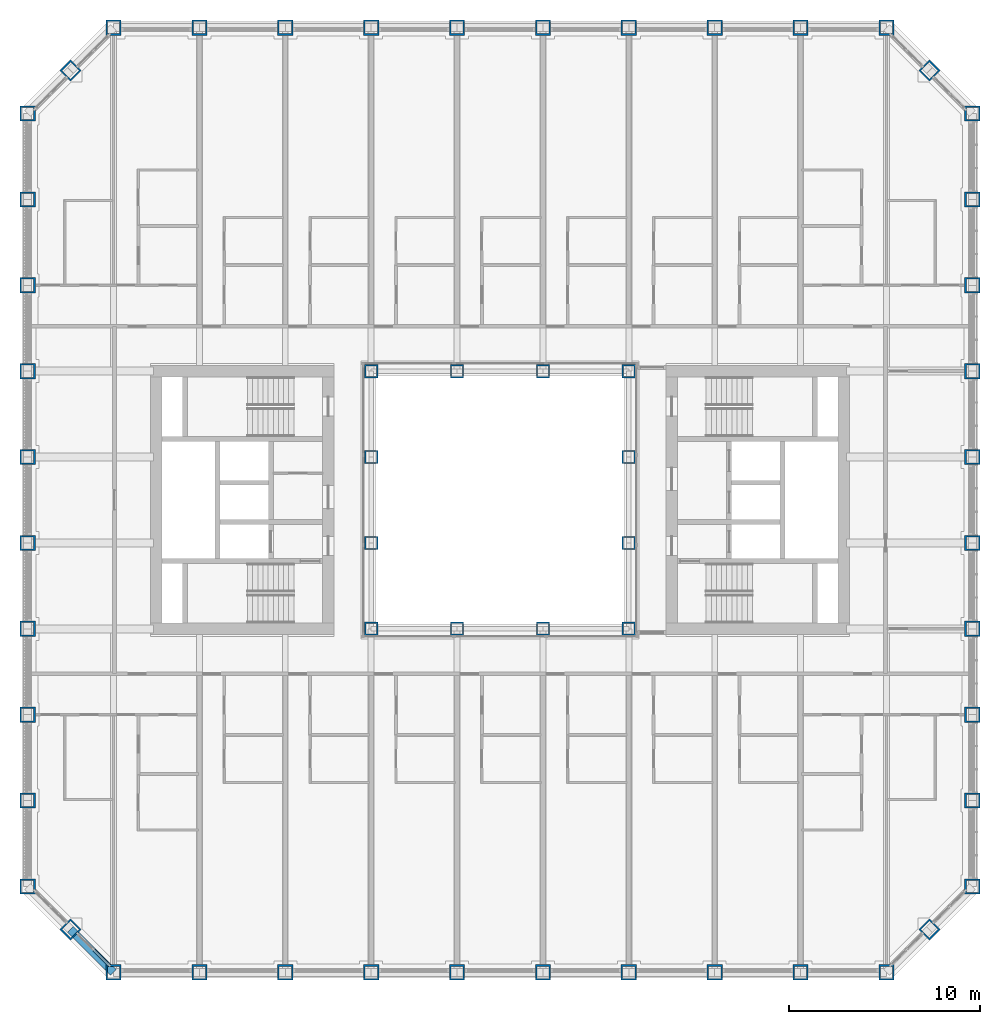
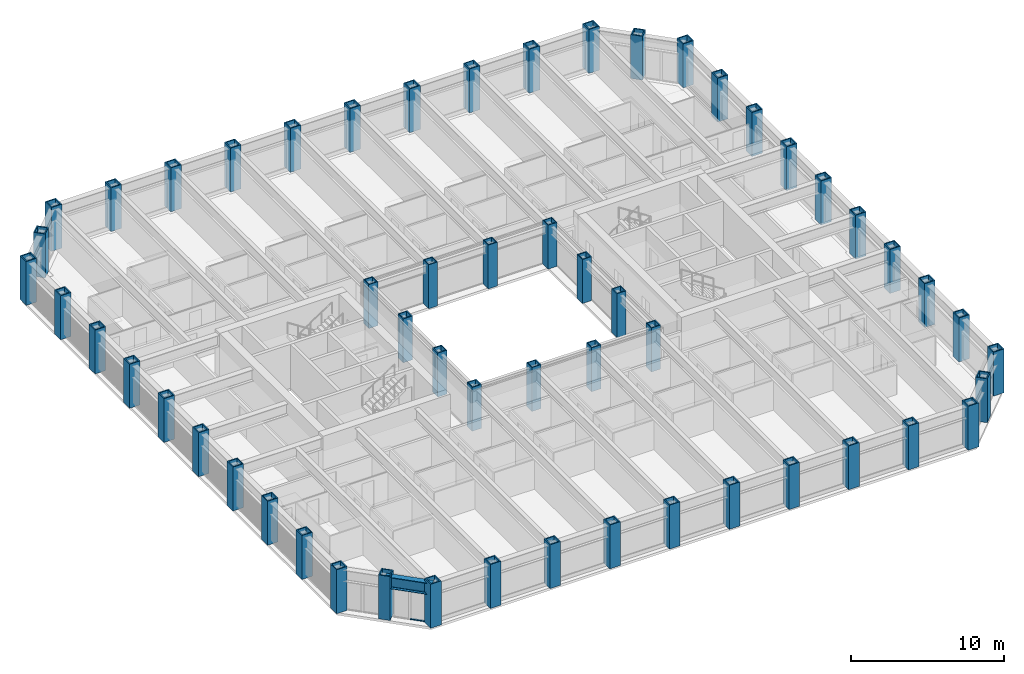
# One storey, part 1 of 21: 56 columns, 2 members, 1 beam, 1 element without a shape of its own.
"""IFC4 building model written with IfcOpenShell, lengths in metres."""

from ifc_helpers import new_model, si_unit, direction, frame, origin, origin_2d, place, context, subcontext, project, spatial, rectangle, hollow_rectangle, i_section, extrude, material, material_profile, profile_set, type_object, element, aggregate, save


model = new_model("IFC4")

# Units and contexts
model_context = context("Model", 3, precision=1e-05, world=origin(), true_north=direction((0.0, 1.0)))
body_context = subcontext(model_context, "Body", "Model", "MODEL_VIEW")
ifc_project = project(units=[si_unit("LENGTHUNIT", "METRE"), si_unit("AREAUNIT", "SQUARE_METRE"), si_unit("VOLUMEUNIT", "CUBIC_METRE"), si_unit("PLANEANGLEUNIT", "RADIAN"), si_unit("MASSUNIT", "GRAM", prefix="KILO")], contexts=[model_context])

# Site, building, storey
site_placement = place(None, origin())
site = spatial("IfcSite", under=ifc_project, at=site_placement, CompositionType="ELEMENT")
building_placement = place(site_placement, origin())
building = spatial("IfcBuilding", under=site, at=building_placement, Name="Msasa Ring Tower", CompositionType="ELEMENT")
storey_placement = place(building_placement, frame((0.0, 0.0, 30.0)))
storey = spatial("IfcBuildingStorey", under=building, at=storey_placement, Name="L06", CompositionType="ELEMENT", Elevation=30.0)

# Columns
ifc_material_1 = material(Name="Steel S355", Category="steel")
ifc_material_profile_1 = material_profile(ifc_material_1, hollow_rectangle(XDim=0.699951171875, YDim=0.699951171875, WallThickness=0.070068359375, at=origin_2d()), Name="BOX 700x700x70")
ifc_profile_set_1 = profile_set([ifc_material_profile_1], Name="Steel S355")
column_type_1 = type_object("IfcColumnType", Name="IC1 BOX 700x700x70", PredefinedType="COLUMN", material=ifc_profile_set_1)
for number, where, z_axis, x_axis, name in (
    (1, (-6.75, -6.75, 0.0), (0.0, 0.0, 1.0), (1.0, 0.0, 0.0), "Inner ring column IR-6.75-6.75 L06"),
    (2, (-6.75, -2.25, 0.0), (0.0, 0.0, 1.0), (1.0, 0.0, 0.0), "Inner ring column IR-6.75-2.25 L06"),
    (3, (-6.75, 2.25, 0.0), (0.0, 0.0, 1.0), (1.0, 0.0, 0.0), "Inner ring column IR-6.75+2.25 L06"),
    (4, (-6.75, 6.75, 0.0), (0.0, 0.0, 1.0), (1.0, 0.0, 0.0), "Inner ring column IR-6.75+6.75 L06"),
    (5, (-2.25, -6.75, 0.0), (0.0, 0.0, 1.0), (1.0, 0.0, 0.0), "Inner ring column IR-2.25-6.75 L06"),
    (6, (-2.25, 6.75, 0.0), (0.0, 0.0, 1.0), (1.0, 0.0, 0.0), "Inner ring column IR-2.25+6.75 L06"),
    (7, (2.25, -6.75, 0.0), (0.0, 0.0, 1.0), (1.0, 0.0, 0.0), "Inner ring column IR+2.25-6.75 L06"),
    (8, (2.25, 6.75, 0.0), (0.0, 0.0, 1.0), (1.0, 0.0, 0.0), "Inner ring column IR+2.25+6.75 L06"),
    (9, (6.75, -6.75, 0.0), (0.0, 0.0, 1.0), (1.0, 0.0, 0.0), "Inner ring column IR+6.75-6.75 L06"),
    (10, (6.75, -2.25, 0.0), (0.0, 0.0, 1.0), (1.0, 0.0, 0.0), "Inner ring column IR+6.75-2.25 L06"),
    (11, (6.75, 2.25, 0.0), (0.0, 0.0, 1.0), (1.0, 0.0, 0.0), "Inner ring column IR+6.75+2.25 L06"),
    (12, (6.75, 6.75, 0.0), (0.0, 0.0, 1.0), (1.0, 0.0, 0.0), "Inner ring column IR+6.75+6.75 L06"),
):
    element("IfcColumn", number, at=place(storey_placement, frame(where, z_axis=z_axis, x_axis=x_axis)), inside=storey, type_object=column_type_1, Name=name, PredefinedType="COLUMN", context=body_context, shape_type="SweptSolid", body=[
        extrude(hollow_rectangle(XDim=0.699951171875, YDim=0.699951171875, WallThickness=0.070068359375, at=origin_2d()), origin(), (0.0, 0.0, 1.0), 3.5),
    ])
ifc_material_2 = material(Name="Steel S355", Category="steel")
ifc_material_profile_2 = material_profile(ifc_material_2, hollow_rectangle(XDim=0.800048828125, YDim=0.800048828125, WallThickness=0.080078125, at=origin_2d()), Name="BOX 800x800x80")
ifc_profile_set_2 = profile_set([ifc_material_profile_2], Name="Steel S355")
column_type_2 = type_object("IfcColumnType", Name="TC1 BOX 800x800x80", PredefinedType="COLUMN", material=ifc_profile_set_2)
for number, where, z_axis, x_axis, name in (
    (13, (-20.25, -24.75, 0.0), (0.0, 0.0, 1.0), (0.0, 1.0, 0.0), "Tube column S-20.25 L06"),
    (14, (-20.25, 24.75, 0.0), (0.0, 0.0, 1.0), (0.0, 1.0, 0.0), "Tube column N-20.25 L06"),
    (15, (24.75, -20.25, 0.0), (0.0, 0.0, 1.0), (1.0, 0.0, 0.0), "Tube column E-20.25 L06"),
    (16, (-24.75, -20.25, 0.0), (0.0, 0.0, 1.0), (1.0, 0.0, 0.0), "Tube column W-20.25 L06"),
    (17, (-15.75, -24.75, 0.0), (0.0, 0.0, 1.0), (0.0, 1.0, 0.0), "Tube column S-15.75 L06"),
    (18, (-15.75, 24.75, 0.0), (0.0, 0.0, 1.0), (0.0, 1.0, 0.0), "Tube column N-15.75 L06"),
    (19, (24.75, -15.75, 0.0), (0.0, 0.0, 1.0), (1.0, 0.0, 0.0), "Tube column E-15.75 L06"),
    (20, (-24.75, -15.75, 0.0), (0.0, 0.0, 1.0), (1.0, 0.0, 0.0), "Tube column W-15.75 L06"),
    (21, (-11.25, -24.75, 0.0), (0.0, 0.0, 1.0), (0.0, 1.0, 0.0), "Tube column S-11.25 L06"),
    (22, (-11.25, 24.75, 0.0), (0.0, 0.0, 1.0), (0.0, 1.0, 0.0), "Tube column N-11.25 L06"),
    (23, (24.75, -11.25, 0.0), (0.0, 0.0, 1.0), (1.0, 0.0, 0.0), "Tube column E-11.25 L06"),
    (24, (-24.75, -11.25, 0.0), (0.0, 0.0, 1.0), (1.0, 0.0, 0.0), "Tube column W-11.25 L06"),
    (25, (-6.75, -24.75, 0.0), (0.0, 0.0, 1.0), (0.0, 1.0, 0.0), "Tube column S-6.75 L06"),
    (26, (-6.75, 24.75, 0.0), (0.0, 0.0, 1.0), (0.0, 1.0, 0.0), "Tube column N-6.75 L06"),
    (27, (24.75, -6.75, 0.0), (0.0, 0.0, 1.0), (1.0, 0.0, 0.0), "Tube column E-6.75 L06"),
    (28, (-24.75, -6.75, 0.0), (0.0, 0.0, 1.0), (1.0, 0.0, 0.0), "Tube column W-6.75 L06"),
    (29, (-2.25, -24.75, 0.0), (0.0, 0.0, 1.0), (0.0, 1.0, 0.0), "Tube column S-2.25 L06"),
    (30, (-2.25, 24.75, 0.0), (0.0, 0.0, 1.0), (0.0, 1.0, 0.0), "Tube column N-2.25 L06"),
    (31, (24.75, -2.25, 0.0), (0.0, 0.0, 1.0), (1.0, 0.0, 0.0), "Tube column E-2.25 L06"),
    (32, (-24.75, -2.25, 0.0), (0.0, 0.0, 1.0), (1.0, 0.0, 0.0), "Tube column W-2.25 L06"),
    (33, (2.25, -24.75, 0.0), (0.0, 0.0, 1.0), (0.0, 1.0, 0.0), "Tube column S+2.25 L06"),
    (34, (2.25, 24.75, 0.0), (0.0, 0.0, 1.0), (0.0, 1.0, 0.0), "Tube column N+2.25 L06"),
    (35, (24.75, 2.25, 0.0), (0.0, 0.0, 1.0), (1.0, 0.0, 0.0), "Tube column E+2.25 L06"),
    (36, (-24.75, 2.25, 0.0), (0.0, 0.0, 1.0), (1.0, 0.0, 0.0), "Tube column W+2.25 L06"),
    (37, (6.75, -24.75, 0.0), (0.0, 0.0, 1.0), (0.0, 1.0, 0.0), "Tube column S+6.75 L06"),
    (38, (6.75, 24.75, 0.0), (0.0, 0.0, 1.0), (0.0, 1.0, 0.0), "Tube column N+6.75 L06"),
    (39, (24.75, 6.75, 0.0), (0.0, 0.0, 1.0), (1.0, 0.0, 0.0), "Tube column E+6.75 L06"),
    (40, (-24.75, 6.75, 0.0), (0.0, 0.0, 1.0), (1.0, 0.0, 0.0), "Tube column W+6.75 L06"),
    (41, (11.25, -24.75, 0.0), (0.0, 0.0, 1.0), (0.0, 1.0, 0.0), "Tube column S+11.25 L06"),
    (42, (11.25, 24.75, 0.0), (0.0, 0.0, 1.0), (0.0, 1.0, 0.0), "Tube column N+11.25 L06"),
    (43, (24.75, 11.25, 0.0), (0.0, 0.0, 1.0), (1.0, 0.0, 0.0), "Tube column E+11.25 L06"),
    (44, (-24.75, 11.25, 0.0), (0.0, 0.0, 1.0), (1.0, 0.0, 0.0), "Tube column W+11.25 L06"),
    (45, (15.75, -24.75, 0.0), (0.0, 0.0, 1.0), (0.0, 1.0, 0.0), "Tube column S+15.75 L06"),
    (46, (15.75, 24.75, 0.0), (0.0, 0.0, 1.0), (0.0, 1.0, 0.0), "Tube column N+15.75 L06"),
    (47, (24.75, 15.75, 0.0), (0.0, 0.0, 1.0), (1.0, 0.0, 0.0), "Tube column E+15.75 L06"),
    (48, (-24.75, 15.75, 0.0), (0.0, 0.0, 1.0), (1.0, 0.0, 0.0), "Tube column W+15.75 L06"),
    (49, (20.25, -24.75, 0.0), (0.0, 0.0, 1.0), (0.0, 1.0, 0.0), "Tube column S+20.25 L06"),
    (50, (20.25, 24.75, 0.0), (0.0, 0.0, 1.0), (0.0, 1.0, 0.0), "Tube column N+20.25 L06"),
    (51, (24.75, 20.25, 0.0), (0.0, 0.0, 1.0), (1.0, 0.0, 0.0), "Tube column E+20.25 L06"),
    (52, (-24.75, 20.25, 0.0), (0.0, 0.0, 1.0), (1.0, 0.0, 0.0), "Tube column W+20.25 L06"),
    (53, (22.5, -22.5, 0.0), (0.0, 0.0, 1.0), (0.707106781187, -0.707106781187, 0.0), "Tube column SE L06"),
    (54, (22.5, 22.5, 0.0), (0.0, 0.0, 1.0), (0.707106781187, 0.707106781187, 0.0), "Tube column NE L06"),
    (55, (-22.5, 22.5, 0.0), (0.0, 0.0, 1.0), (0.707106781187, -0.707106781187, 0.0), "Tube column NW L06"),
    (56, (-22.5, -22.5, 0.0), (0.0, 0.0, 1.0), (0.707106781187, 0.707106781187, 0.0), "Tube column SW L06"),
):
    element("IfcColumn", number, at=place(storey_placement, frame(where, z_axis=z_axis, x_axis=x_axis)), inside=storey, type_object=column_type_2, Name=name, PredefinedType="COLUMN", context=body_context, shape_type="SweptSolid", body=[
        extrude(hollow_rectangle(XDim=0.800048828125, YDim=0.800048828125, WallThickness=0.080078125, at=origin_2d()), origin(), (0.0, 0.0, 1.0), 3.5),
    ])

# Curtain wall, members
ifc_material_3 = material(Name="Aluminium curtain wall with clear glass", Category="aluminium")
curtain_wall_type = type_object("IfcCurtainWallType", Name="CW-C CHAMFER CORNER CURTAIN WALL", PredefinedType="NOTDEFINED", material=ifc_material_3)
curtain_wall_placement = place(storey_placement, origin())
curtain_wall = element("IfcCurtainWall", 57, at=curtain_wall_placement, inside=storey, type_object=curtain_wall_type, Name="Chamfer corner curtain wall SW L06", PredefinedType="NOTDEFINED")
ifc_material_4 = material(Name="Aluminium transom", Category="aluminium")
ifc_material_profile_3 = material_profile(ifc_material_4, rectangle(XDim=0.139892578125, YDim=0.06494140625, at=origin_2d()), Name="AL 65x140")
ifc_profile_set_3 = profile_set([ifc_material_profile_3], Name="Aluminium transom")
member_type = type_object("IfcMemberType", Name="CW-C TRANSOM 65x140", PredefinedType="USERDEFINED", material=ifc_profile_set_3)
member_1_placement = place(storey_placement, frame((-21.28125, -23.577392578125, 0.032470703125), z_axis=(0.707106781187, -0.707106781187, 0.0), x_axis=(0.707106781187, 0.707106781187, 0.0)))
member_1 = element("IfcMember", 58, at=member_1_placement, type_object=member_type, Name="CW-C transom 2.1", ObjectType="TRANSOM", PredefinedType="USERDEFINED", context=body_context, shape_type="SweptSolid", body=[
    extrude(rectangle(XDim=0.139892578125, YDim=0.06494140625, at=origin_2d()), origin(), (0.0, 0.0, 1.0), 1.08837890625),
])
member_2_placement = place(storey_placement, frame((-21.28125, -23.577392578125, 2.346435546875), z_axis=(0.707106781187, -0.707106781187, 0.0), x_axis=(0.707106781187, 0.707106781187, 0.0)))
member_2 = element("IfcMember", 59, at=member_2_placement, type_object=member_type, Name="CW-C transom 2.2", ObjectType="TRANSOM", PredefinedType="USERDEFINED", context=body_context, shape_type="SweptSolid", body=[
    extrude(rectangle(XDim=0.139892578125, YDim=0.06494140625, at=origin_2d()), origin(), (0.0, 0.0, 1.0), 1.08837890625),
])
aggregate(curtain_wall, [member_1, member_2])

# Beam
ifc_material_5 = material(Name="Steel S355", Category="steel")
ifc_material_profile_4 = material_profile(ifc_material_5, i_section(OverallWidth=0.42041015625, OverallDepth=0.9208984375, WebThickness=0.021484375, FlangeThickness=0.03662109375, FilletRadius=0.024169921875, at=origin_2d()), Name="UB 914x419x388")
ifc_profile_set_4 = profile_set([ifc_material_profile_4], Name="Steel S355")
beam_type = type_object("IfcBeamType", Name="SB1 UB 914x419x388", PredefinedType="SPANDREL", material=ifc_profile_set_4)
beam_placement = place(storey_placement, frame((-22.5, -22.5, 2.839599609375), z_axis=(0.707106781187, -0.707106781187, 0.0), x_axis=(0.707106781187, 0.707106781187, 0.0)))
element("IfcBeam", 60, at=beam_placement, inside=storey, type_object=beam_type, Name="Spandrel SW to S-20.25 under L07", PredefinedType="SPANDREL", context=body_context, shape_type="SweptSolid", body=[
    extrude(i_section(OverallWidth=0.42041015625, OverallDepth=0.9208984375, WebThickness=0.021484375, FlangeThickness=0.03662109375, FilletRadius=0.024169921875, at=origin_2d()), origin(), (0.0, 0.0, 1.0), 3.181884765625),
])

save(model, "model.ifc")
